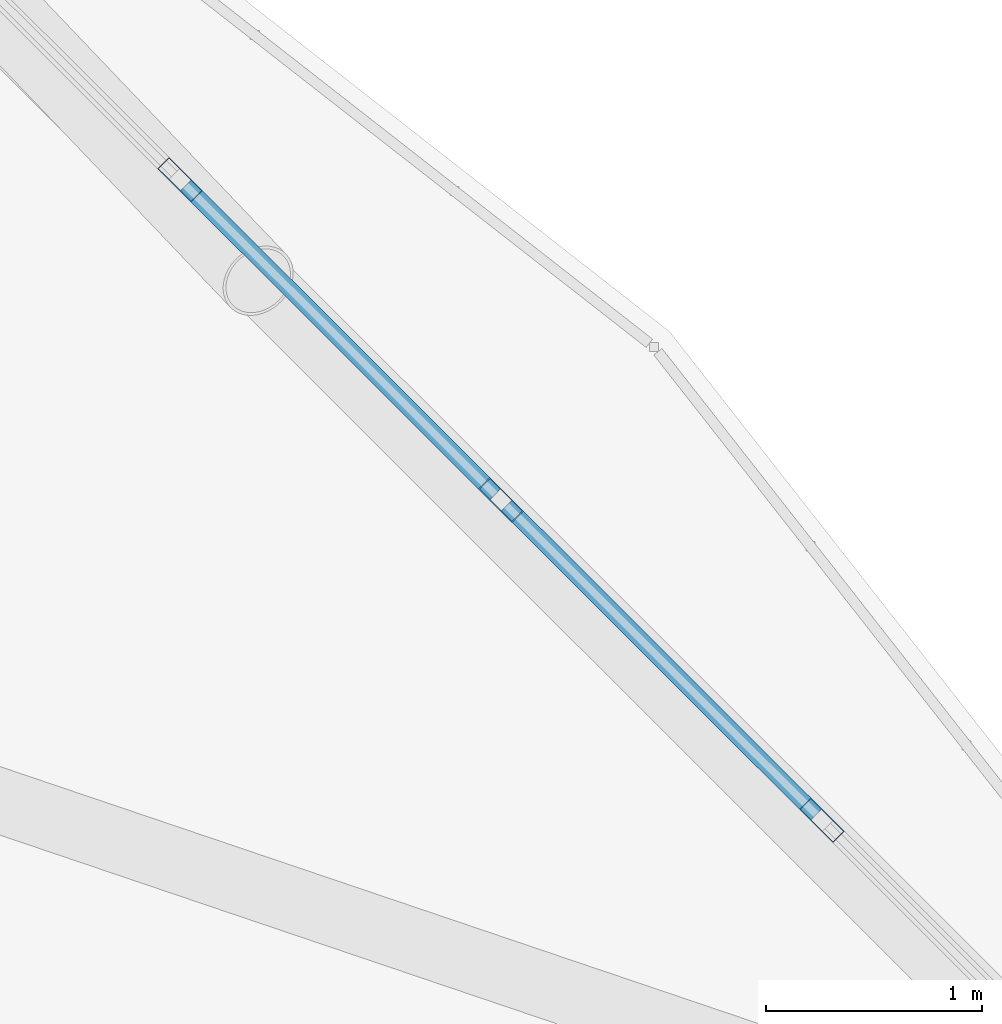
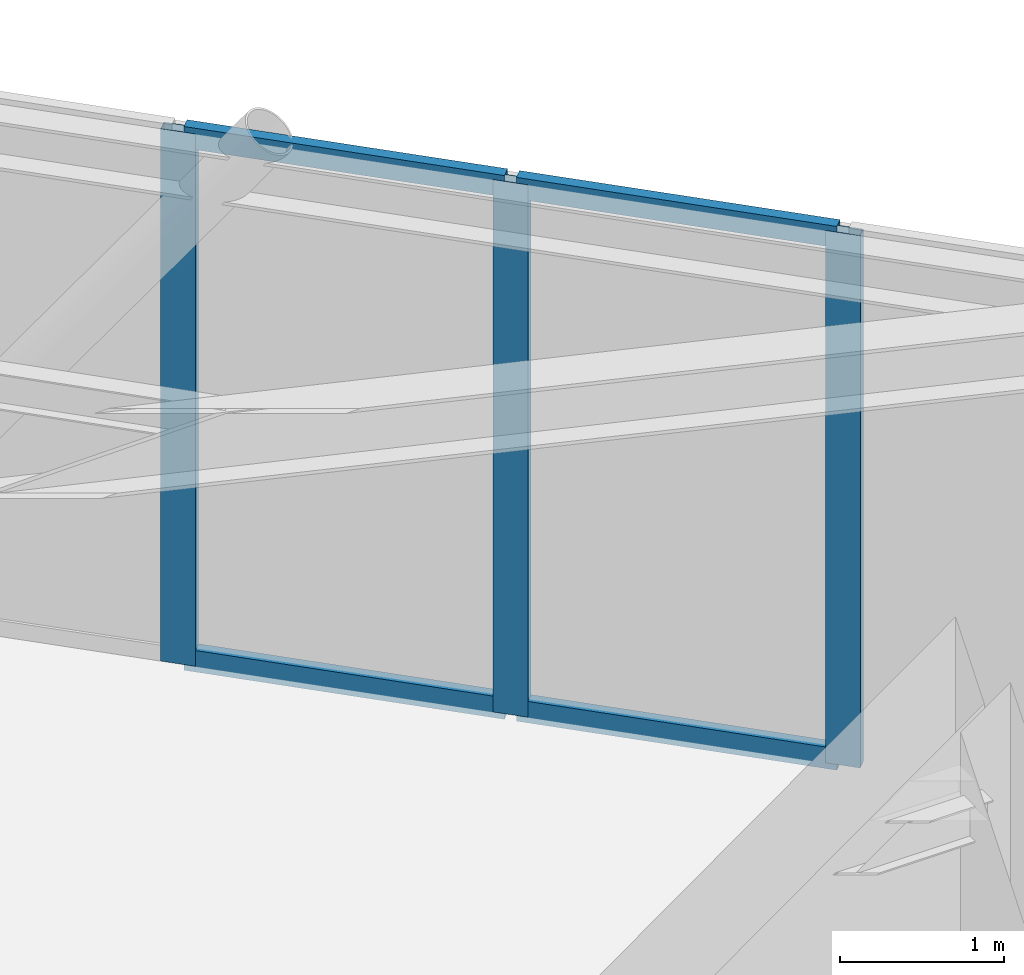
# One storey, part 12 of 21: 7 members, 1 element without a shape of its own.
"""IFC4 building model written with IfcOpenShell, lengths in metres."""

from ifc_helpers import new_model, si_unit, direction, frame, origin, origin_2d, place, context, subcontext, project, spatial, hollow_rectangle, extrude, material, layer, layer_set, material_profile, profile_set, type_object, element, aggregate, save


model = new_model("IFC4")

# Units and contexts
model_context = context("Model", 3, precision=1e-05, world=origin(), true_north=direction((0.0, 1.0)))
body_context = subcontext(model_context, "Body", "Model", "MODEL_VIEW")
ifc_project = project(units=[si_unit("LENGTHUNIT", "METRE"), si_unit("AREAUNIT", "SQUARE_METRE"), si_unit("VOLUMEUNIT", "CUBIC_METRE"), si_unit("PLANEANGLEUNIT", "RADIAN"), si_unit("MASSUNIT", "GRAM", prefix="KILO")], contexts=[model_context])

# Site, building, storey
site_placement = place(None, origin())
site = spatial("IfcSite", under=ifc_project, at=site_placement, CompositionType="ELEMENT")
building_placement = place(site_placement, origin())
building = spatial("IfcBuilding", under=site, at=building_placement, Name="Varnakorn Sky Granary", CompositionType="ELEMENT")
storey_placement = place(building_placement, frame((0.0, 0.0, 294.0)))
storey = spatial("IfcBuildingStorey", under=building, at=storey_placement, Name="L75", CompositionType="ELEMENT", Elevation=294.0)

# Curtain wall, members
ifc_material = material(Name="Anodised Bronze Aluminium Alloy 6063-T6", Category="aluminium")
ifc_layer = layer(ifc_material, 0.22998046875, Name="Anodised Bronze Aluminium Alloy 6063-T6")
ifc_layer_set = layer_set([ifc_layer], Name="Anodised Bronze Aluminium Alloy 6063-T6")
curtain_wall_type = type_object("IfcCurtainWallType", Name="CW-LNT-1", PredefinedType="USERDEFINED", material=ifc_layer_set)
curtain_wall_placement = place(storey_placement, origin())
curtain_wall = element("IfcCurtainWall", 1, at=curtain_wall_placement, inside=storey, type_object=curtain_wall_type, Name="Unitised Curtain Wall CW7 CW-L75-B02", ObjectType="CURTAIN WALL", PredefinedType="USERDEFINED")
ifc_material_profile_1 = material_profile(ifc_material, hollow_rectangle(XDim=0.074951171875, YDim=0.219970703125, WallThickness=0.00390625, at=origin_2d()), Name="ALU MULL 75x220")
ifc_profile_set_1 = profile_set([ifc_material_profile_1], Name="Anodised Bronze Aluminium Alloy 6063-T6")
member_type_1 = type_object("IfcMemberType", Name="CW-LNT-1-MULL", PredefinedType="MULLION", material=ifc_profile_set_1)
member_1_placement = place(storey_placement, frame((15.338623046875, 13.429443359375, 0.0), z_axis=(0.0, 0.0, 1.0), x_axis=(0.706396880071, 0.70781597031, 0.0)))
member_1 = element("IfcMember", 2, at=member_1_placement, type_object=member_type_1, Name="CW7 mullion 2", PredefinedType="MULLION", context=body_context, shape_type="SweptSolid", body=[
    extrude(hollow_rectangle(XDim=0.074951171875, YDim=0.219970703125, WallThickness=0.00390625, at=origin_2d()), origin(), (0.0, 0.0, 1.0), 3.9599609375),
])
member_2_placement = place(storey_placement, frame((16.822509765625, 11.948486328125, 0.0), z_axis=(0.0, 0.0, 1.0), x_axis=(0.706396880071, 0.70781597031, 0.0)))
member_2 = element("IfcMember", 3, at=member_2_placement, type_object=member_type_1, Name="CW7 mullion 3", PredefinedType="MULLION", context=body_context, shape_type="SweptSolid", body=[
    extrude(hollow_rectangle(XDim=0.074951171875, YDim=0.219970703125, WallThickness=0.00390625, at=origin_2d()), origin(), (0.0, 0.0, 1.0), 3.9599609375),
])
member_3_placement = place(storey_placement, frame((18.306396484375, 10.4677734375, 0.0), z_axis=(0.0, 0.0, 1.0), x_axis=(0.706396880071, 0.70781597031, 0.0)))
member_3 = element("IfcMember", 4, at=member_3_placement, type_object=member_type_1, Name="CW7 mullion 4", PredefinedType="MULLION", context=body_context, shape_type="SweptSolid", body=[
    extrude(hollow_rectangle(XDim=0.074951171875, YDim=0.219970703125, WallThickness=0.00390625, at=origin_2d()), origin(), (0.0, 0.0, 1.0), 3.9599609375),
])
ifc_material_profile_2 = material_profile(ifc_material, hollow_rectangle(XDim=0.074951171875, YDim=0.159912109375, WallThickness=0.00390625, at=origin_2d()), Name="ALU TRAN 75x160")
ifc_profile_set_2 = profile_set([ifc_material_profile_2], Name="Anodised Bronze Aluminium Alloy 6063-T6")
member_type_2 = type_object("IfcMemberType", Name="CW-LNT-1-TRAN", PredefinedType="USERDEFINED", material=ifc_profile_set_2)
member_4_placement = place(storey_placement, frame((15.365234375, 13.403076171875, 0.03759765625), z_axis=(0.707770759115, -0.706442179192, 0.0), x_axis=(0.706442179192, 0.707770759115, 0.0)))
member_4 = element("IfcMember", 5, at=member_4_placement, type_object=member_type_2, Name="CW7 transom 2.1", ObjectType="TRANSOM", PredefinedType="USERDEFINED", context=body_context, shape_type="SweptSolid", body=[
    extrude(hollow_rectangle(XDim=0.074951171875, YDim=0.159912109375, WallThickness=0.00390625, at=origin_2d()), origin(), (0.0, 0.0, 1.0), 2.021484375),
])
member_5_placement = place(storey_placement, frame((15.365234375, 13.403076171875, 3.922607421875), z_axis=(0.707770759115, -0.706442179192, 0.0), x_axis=(0.706442179192, 0.707770759115, 0.0)))
member_5 = element("IfcMember", 6, at=member_5_placement, type_object=member_type_2, Name="CW7 transom 2.2", ObjectType="TRANSOM", PredefinedType="USERDEFINED", context=body_context, shape_type="SweptSolid", body=[
    extrude(hollow_rectangle(XDim=0.074951171875, YDim=0.159912109375, WallThickness=0.00390625, at=origin_2d()), origin(), (0.0, 0.0, 1.0), 2.021484375),
])
member_6_placement = place(storey_placement, frame((16.84912109375, 11.922119140625, 0.03759765625), z_axis=(0.707770759115, -0.706442179192, 0.0), x_axis=(0.706442179192, 0.707770759115, 0.0)))
member_6 = element("IfcMember", 7, at=member_6_placement, type_object=member_type_2, Name="CW7 transom 3.1", ObjectType="TRANSOM", PredefinedType="USERDEFINED", context=body_context, shape_type="SweptSolid", body=[
    extrude(hollow_rectangle(XDim=0.074951171875, YDim=0.159912109375, WallThickness=0.00390625, at=origin_2d()), origin(), (0.0, 0.0, 1.0), 2.021484375),
])
member_7_placement = place(storey_placement, frame((16.84912109375, 11.922119140625, 3.922607421875), z_axis=(0.707770759115, -0.706442179192, 0.0), x_axis=(0.706442179192, 0.707770759115, 0.0)))
member_7 = element("IfcMember", 8, at=member_7_placement, type_object=member_type_2, Name="CW7 transom 3.2", ObjectType="TRANSOM", PredefinedType="USERDEFINED", context=body_context, shape_type="SweptSolid", body=[
    extrude(hollow_rectangle(XDim=0.074951171875, YDim=0.159912109375, WallThickness=0.00390625, at=origin_2d()), origin(), (0.0, 0.0, 1.0), 2.021484375),
])
aggregate(curtain_wall, [member_1, member_2, member_3, member_4, member_5, member_6, member_7])

save(model, "model.ifc")
